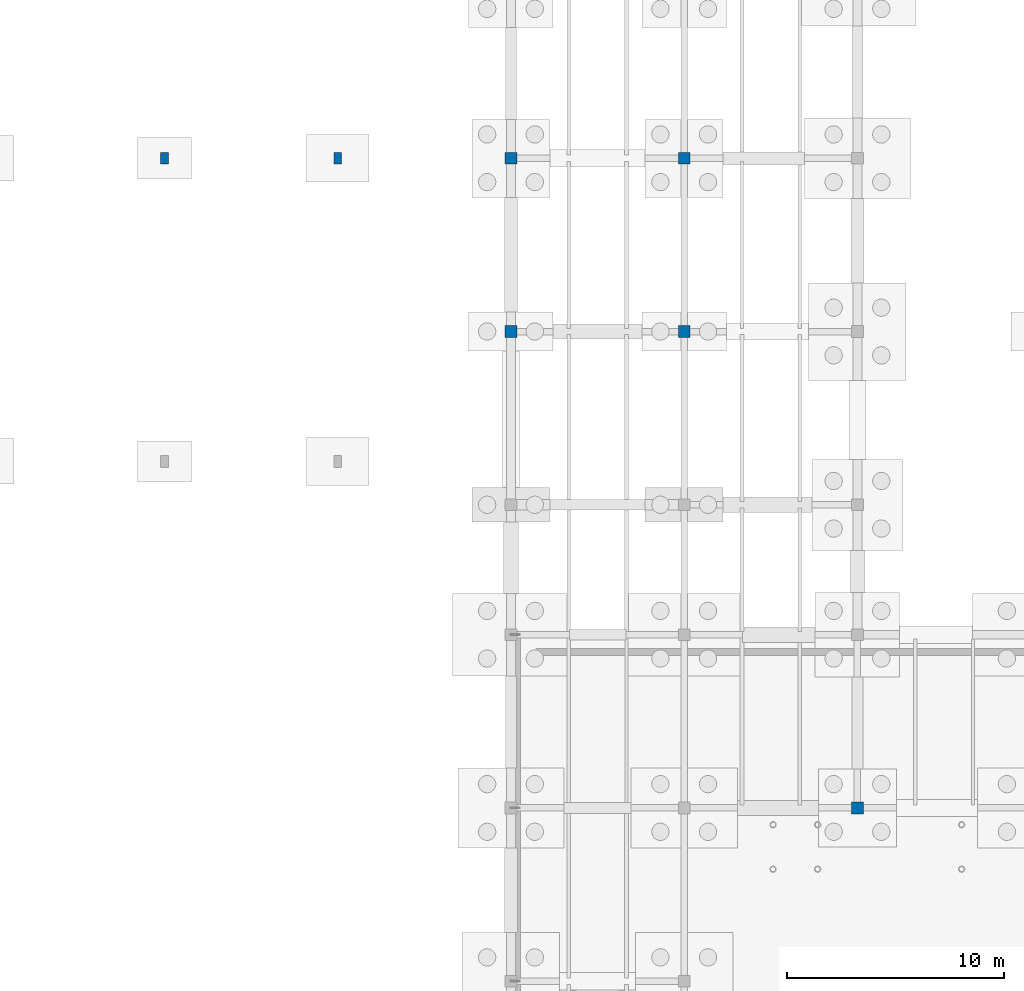
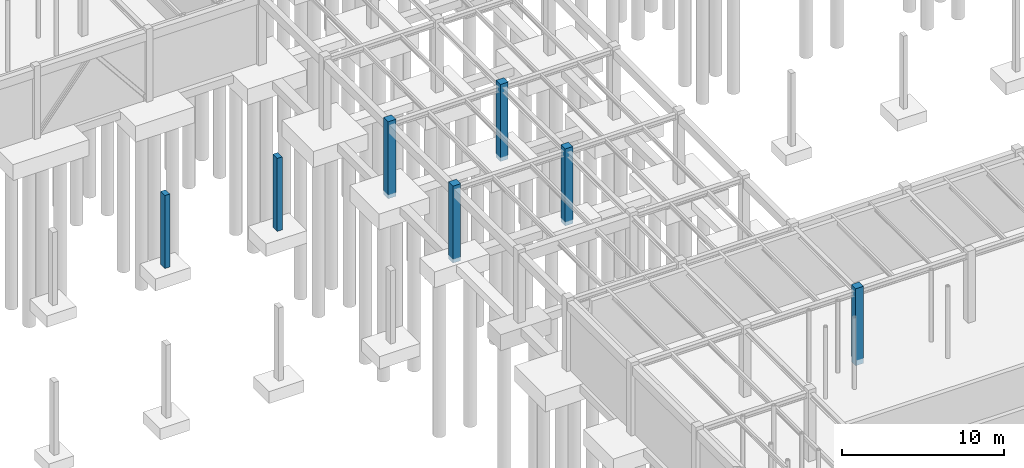
# One storey, part 16 of 71: 7 columns.
"""IFC4 building model written with IfcOpenShell, lengths in metres."""

import ifcopenshell
import ifcopenshell.guid

model = None  # the IFC model being written
_history = None  # IfcOwnerHistory: only IFC2X3 demands one
_inside = {}  # id of a spatial element -> (the spatial element, [elements in it])
_under = {}  # id of a project, library or spatial element -> (it, [spatial elements below it])
_declared = {}  # id of a project -> (the project, [libraries it declares])
_typed = {}  # id of a type object -> (the type object, [elements of that type])
_made_of = {}  # id of a material, layer set ... -> (it, [elements and type objects made of it])


def new_model(schema):
    """Start an empty IFC model of exactly this schema.

    Asked for "IFC4X3", IfcOpenShell would pick the latest addendum, in which some entities
    have other attributes; the version numbers below select the first issue.
    IFC2X3 requires an IfcOwnerHistory on every rooted entity: one is made here for all.
    """
    global model, _history
    if schema == "IFC4X3":
        model = ifcopenshell.file(schema_version=(4, 3, 0, 0))
    else:
        model = ifcopenshell.file(schema=schema)
    _inside.clear()
    _under.clear()
    _declared.clear()
    _typed.clear()
    _made_of.clear()
    _history = None
    if model.schema == "IFC2X3":
        org = make("IfcOrganization", Name="unknown")
        user = make(
            "IfcPersonAndOrganization",
            ThePerson=make("IfcPerson", FamilyName="unknown"),
            TheOrganization=org,
        )
        app = make(
            "IfcApplication",
            ApplicationDeveloper=org,
            Version="unknown",
            ApplicationFullName="unknown",
            ApplicationIdentifier="unknown",
        )
        _history = make(
            "IfcOwnerHistory",
            OwningUser=user,
            OwningApplication=app,
            ChangeAction="ADDED",
            CreationDate=0,
        )
    return model


def make(cls, **values):
    """One entity of the class cls with the attributes given. An attribute that is None is left unset."""
    return model.create_entity(
        cls, **{name: value for name, value in values.items() if value is not None}
    )


def rooted(cls, **values):
    """An entity with a GlobalId (a new one), such as an element, a storey or a relation."""
    return make(cls, GlobalId=ifcopenshell.guid.new(), OwnerHistory=_history, **values)


def si_unit(unit_type, name, prefix=None):
    """IfcSIUnit, for example si_unit("LENGTHUNIT", "METRE", prefix="MILLI")."""
    return make("IfcSIUnit", UnitType=unit_type, Prefix=prefix, Name=name)


def assignment(units):
    """IfcUnitAssignment: the units of a project."""
    return None if units is None else make("IfcUnitAssignment", Units=units)


def point(xyz):
    """IfcCartesianPoint."""
    return None if xyz is None else make("IfcCartesianPoint", Coordinates=xyz)


def direction(xyz):
    """IfcDirection."""
    return None if xyz is None else make("IfcDirection", DirectionRatios=xyz)


def frame(location, z_axis=None, x_axis=None):
    """IfcAxis2Placement3D, a coordinate frame: its origin and axes. An axis left out is left unset."""
    return make(
        "IfcAxis2Placement3D",
        Location=point(location),
        Axis=direction(z_axis),
        RefDirection=direction(x_axis),
    )


def frame_2d(location, x_axis=None):
    """IfcAxis2Placement2D, a coordinate frame in the plane: its origin and x axis."""
    return make(
        "IfcAxis2Placement2D", Location=point(location), RefDirection=direction(x_axis)
    )


def origin():
    """The frame at (0, 0, 0) with its axes left unset."""
    return frame((0.0, 0.0, 0.0))


def origin_2d():
    """The frame at (0, 0) in the plane with its x axis left unset."""
    return frame_2d((0.0, 0.0))


def place(relative_to, where):
    """IfcLocalPlacement: puts the frame where relative to a parent placement (None: the world)."""
    return make(
        "IfcLocalPlacement", PlacementRelTo=relative_to, RelativePlacement=where
    )


def context(
    kind, dimensions, precision=None, world=None, true_north=None, identifier=None
):
    """IfcGeometricRepresentationContext, for example the 3D "Model" context."""
    return make(
        "IfcGeometricRepresentationContext",
        ContextIdentifier=identifier,
        ContextType=kind,
        CoordinateSpaceDimension=dimensions,
        Precision=precision,
        WorldCoordinateSystem=world,
        TrueNorth=true_north,
    )


def subcontext(parent, identifier, kind, view, scale=None):
    """IfcGeometricRepresentationSubContext, for example "Body" below "Model"."""
    return make(
        "IfcGeometricRepresentationSubContext",
        ContextIdentifier=identifier,
        ContextType=kind,
        ParentContext=parent,
        TargetScale=scale,
        TargetView=view,
    )


def project(units=None, contexts=None):
    """IfcProject with its units and contexts."""
    return rooted(
        "IfcProject",
        Name="project",
        RepresentationContexts=contexts,
        UnitsInContext=assignment(units),
    )


def spatial(cls, under=None, at=None, **own):
    """A site, building, storey or space (cls), placed at a placement, below another one or the project."""
    s = rooted(cls, ObjectPlacement=at, **own)
    if under is not None:
        _under.setdefault(under.id(), (under, []))[1].append(s)
    return s


def profile(cls, at=None, kind="AREA", **sizes):
    """A parametric profile (cls). Its sizes go by their IFC names, for example OverallWidth=200.0."""
    return make(cls, ProfileType=kind, Position=at, **sizes)


def rectangle(**sizes):
    """IfcRectangleProfileDef."""
    return profile("IfcRectangleProfileDef", **sizes)


def extrude(swept, where, along, depth):
    """IfcExtrudedAreaSolid: the profile swept, set in the frame where, extruded along a direction by depth."""
    return make(
        "IfcExtrudedAreaSolid",
        SweptArea=swept,
        Position=where,
        ExtrudedDirection=direction(along),
        Depth=depth,
    )


def shape(context_of_items, identifier, shape_type, items):
    """IfcShapeRepresentation: the items that make up one representation, for example the "Body"."""
    return make(
        "IfcShapeRepresentation",
        ContextOfItems=context_of_items,
        RepresentationIdentifier=identifier,
        RepresentationType=shape_type,
        Items=items,
    )


def material(Name=None, Category=None):
    """IfcMaterial."""
    return make("IfcMaterial", Name=Name, Category=Category)


def material_profile(
    of_material, cross_section, Name=None, Category=None, Priority=None
):
    """IfcMaterialProfile: a cross section and its material."""
    return make(
        "IfcMaterialProfile",
        Name=Name,
        Material=of_material,
        Profile=cross_section,
        Priority=Priority,
        Category=Category,
    )


def profile_set(profiles, Name=None, composite=None):
    """IfcMaterialProfileSet."""
    return make(
        "IfcMaterialProfileSet",
        Name=Name,
        MaterialProfiles=profiles,
        CompositeProfile=composite,
    )


def made_of(thing, what):
    """Note that an element or type object is made of a material, layer set ...; save() writes the relation."""
    if what is not None:
        _made_of.setdefault(what.id(), (what, []))[1].append(thing)
    return thing


def type_object(cls, material=None, **own):
    """A type object (cls), such as IfcWallType, which elements share."""
    return made_of(rooted(cls, **own), material)


def element(
    cls,
    number,
    at=None,
    inside=None,
    cuts=None,
    type_object=None,
    material=None,
    context=None,
    identifier="Body",
    shape_type=None,
    held_by="IfcProductDefinitionShape",
    body=None,
    shapes=None,
    **own,
):
    """One element of the class cls, such as IfcWall. Its Tag is "e" and its number.

    at: its placement. inside: the storey or other place that contains it. cuts: it is an
    opening in that element (IfcRelVoidsElement). A single representation is given by context,
    identifier, shape_type and body (its items); several are given by shapes. held_by: the class
    of the entity that holds the representations. save() writes the other relations.
    """
    e = rooted(cls, Tag="e%d" % number, ObjectPlacement=at, **own)
    if body is not None:
        shapes = [shape(context, identifier, shape_type, body)]
    if shapes is not None:
        e.Representation = make(held_by, Representations=shapes)
    if inside is not None:
        _inside.setdefault(inside.id(), (inside, []))[1].append(e)
    if cuts is not None:
        rooted(
            "IfcRelVoidsElement", RelatingBuildingElement=cuts, RelatedOpeningElement=e
        )
    if type_object is not None:
        _typed.setdefault(type_object.id(), (type_object, []))[1].append(e)
    return made_of(e, material)


def aggregate(whole, parts):
    """IfcRelAggregates: a whole, such as a stair, and the parts it consists of."""
    return rooted("IfcRelAggregates", RelatingObject=whole, RelatedObjects=parts)


def save(model, path):
    """Write the relations noted so far, then the file.

    IfcRelAggregates (storeys below a building ...), IfcRelContainedInSpatialStructure (elements
    in a storey), IfcRelDefinesByType, IfcRelAssociatesMaterial and IfcRelDeclares: one each for
    every whole, place, type object, material and project.
    """
    for whole, parts in _under.values():
        aggregate(whole, parts)
    for where, things in _inside.values():
        rooted(
            "IfcRelContainedInSpatialStructure",
            RelatedElements=things,
            RelatingStructure=where,
        )
    for kind, things in _typed.values():
        rooted("IfcRelDefinesByType", RelatedObjects=things, RelatingType=kind)
    for what, things in _made_of.values():
        rooted("IfcRelAssociatesMaterial", RelatedObjects=things, RelatingMaterial=what)
    for by, libraries in _declared.values():
        rooted("IfcRelDeclares", RelatingContext=by, RelatedDefinitions=libraries)
    model.write(path)


model = new_model("IFC4")

# Units and contexts
model_context = context("Model", 3, precision=1e-05, world=origin(), true_north=direction((0.0, 1.0)))
body_context = subcontext(model_context, "Body", "Model", "MODEL_VIEW")
ifc_project = project(units=[si_unit("LENGTHUNIT", "METRE"), si_unit("AREAUNIT", "SQUARE_METRE"), si_unit("VOLUMEUNIT", "CUBIC_METRE"), si_unit("PLANEANGLEUNIT", "RADIAN"), si_unit("MASSUNIT", "GRAM", prefix="KILO")], contexts=[model_context])

# Site, building, storey
site_placement = place(None, origin())
site = spatial("IfcSite", under=ifc_project, at=site_placement, CompositionType="ELEMENT")
building_placement = place(site_placement, origin())
building = spatial("IfcBuilding", under=site, at=building_placement, Name="Sundkrona Museum", CompositionType="ELEMENT")
storey_placement = place(building_placement, frame((0.0, 0.0, -5.39990234375)))
storey = spatial("IfcBuildingStorey", under=building, at=storey_placement, Name="B1", CompositionType="ELEMENT", Elevation=-5.39990234375)

# Columns
ifc_material = material(Name="Concrete C40/50", Category="concrete")
ifc_material_profile_1 = material_profile(ifc_material, rectangle(XDim=0.550048828125, YDim=0.550048828125, at=origin_2d()), Name="RC 550x550")
ifc_profile_set_1 = profile_set([ifc_material_profile_1], Name="Concrete C40/50")
column_type_1 = type_object("IfcColumnType", Name="C-RC550", PredefinedType="COLUMN", material=ifc_profile_set_1)
for number, where, z_axis, x_axis, name in (
    (1, (80.0, 54.0, -0.400146484375), (0.0, 0.0, 1.0), (1.0, 0.0, 0.0), "B1 Column H/11"),
    (2, (80.0, 62.0, -0.400146484375), (0.0, 0.0, 1.0), (1.0, 0.0, 0.0), "B1 Column J/11"),
    (3, (88.0, 54.0, -0.400146484375), (0.0, 0.0, 1.0), (1.0, 0.0, 0.0), "B1 Column H/12"),
    (4, (88.0, 62.0, -0.400146484375), (0.0, 0.0, 1.0), (1.0, 0.0, 0.0), "B1 Column J/12"),
    (5, (96.0, 32.0, -0.400146484375), (0.0, 0.0, 1.0), (1.0, 0.0, 0.0), "B1 Column E/13"),
):
    element("IfcColumn", number, at=place(storey_placement, frame(where, z_axis=z_axis, x_axis=x_axis)), inside=storey, type_object=column_type_1, Name=name, PredefinedType="COLUMN", context=body_context, shape_type="SweptSolid", body=[
        extrude(rectangle(XDim=0.550048828125, YDim=0.550048828125, at=origin_2d()), origin(), (0.0, 0.0, 1.0), 5.800048828125),
    ])
ifc_material_profile_2 = material_profile(ifc_material, rectangle(XDim=0.360107421875, YDim=0.5400390625, at=origin_2d()), Name="RC 540x360")
ifc_profile_set_2 = profile_set([ifc_material_profile_2], Name="Concrete C40/50")
column_type_2 = type_object("IfcColumnType", Name="PIL-540", PredefinedType="PILASTER", material=ifc_profile_set_2)
for number, where, z_axis, x_axis, name in (
    (6, (64.0, 62.0, -0.10009765625), (0.0, 0.0, 1.0), (1.0, 0.0, 0.0), "Arcade Foundation Pier PF-CL-07"),
    (7, (72.0, 62.0, -0.10009765625), (0.0, 0.0, 1.0), (1.0, 0.0, 0.0), "Arcade Foundation Pier PF-CL-08"),
):
    element("IfcColumn", number, at=place(storey_placement, frame(where, z_axis=z_axis, x_axis=x_axis)), inside=storey, type_object=column_type_2, Name=name, PredefinedType="PILASTER", context=body_context, shape_type="SweptSolid", body=[
        extrude(rectangle(XDim=0.360107421875, YDim=0.5400390625, at=origin_2d()), origin(), (0.0, 0.0, 1.0), 5.5),
    ])

save(model, "model.ifc")
